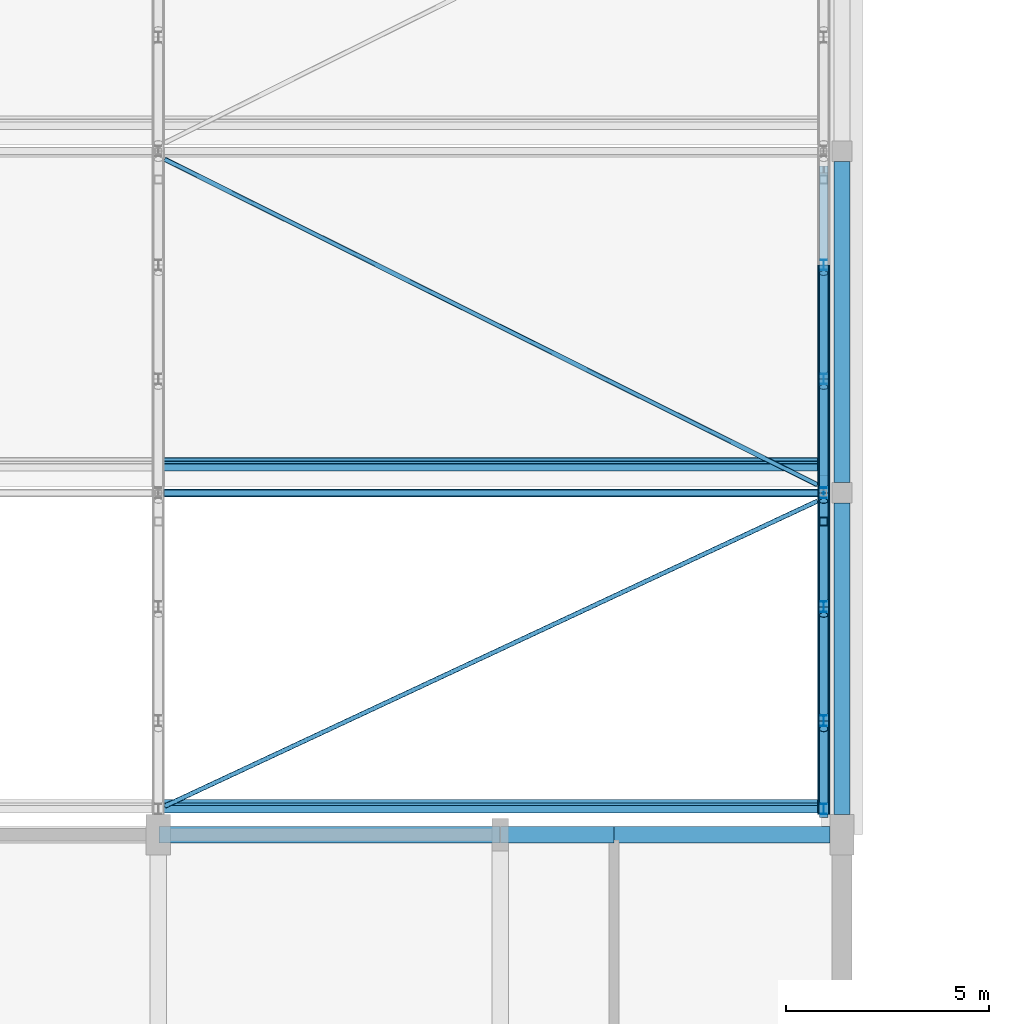
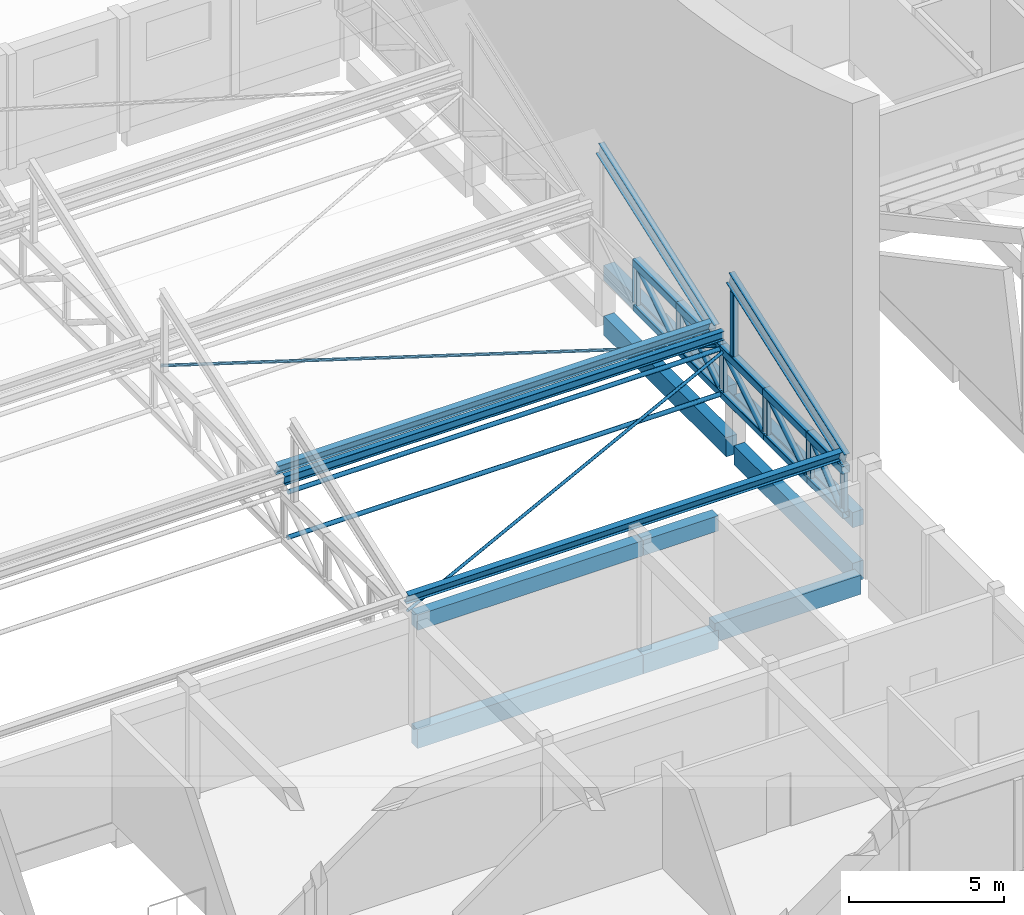
# One storey, part 30 of 101: 30 members, 10 beams.
"""IFC4 building model written with IfcOpenShell, lengths in metres."""

import ifcopenshell
import ifcopenshell.guid

model = None  # the IFC model being written
_history = None  # IfcOwnerHistory: only IFC2X3 demands one
_inside = {}  # id of a spatial element -> (the spatial element, [elements in it])
_under = {}  # id of a project, library or spatial element -> (it, [spatial elements below it])
_declared = {}  # id of a project -> (the project, [libraries it declares])
_typed = {}  # id of a type object -> (the type object, [elements of that type])
_made_of = {}  # id of a material, layer set ... -> (it, [elements and type objects made of it])


def new_model(schema):
    """Start an empty IFC model of exactly this schema.

    Asked for "IFC4X3", IfcOpenShell would pick the latest addendum, in which some entities
    have other attributes; the version numbers below select the first issue.
    IFC2X3 requires an IfcOwnerHistory on every rooted entity: one is made here for all.
    """
    global model, _history
    if schema == "IFC4X3":
        model = ifcopenshell.file(schema_version=(4, 3, 0, 0))
    else:
        model = ifcopenshell.file(schema=schema)
    _inside.clear()
    _under.clear()
    _declared.clear()
    _typed.clear()
    _made_of.clear()
    _history = None
    if model.schema == "IFC2X3":
        org = make("IfcOrganization", Name="unknown")
        user = make(
            "IfcPersonAndOrganization",
            ThePerson=make("IfcPerson", FamilyName="unknown"),
            TheOrganization=org,
        )
        app = make(
            "IfcApplication",
            ApplicationDeveloper=org,
            Version="unknown",
            ApplicationFullName="unknown",
            ApplicationIdentifier="unknown",
        )
        _history = make(
            "IfcOwnerHistory",
            OwningUser=user,
            OwningApplication=app,
            ChangeAction="ADDED",
            CreationDate=0,
        )
    return model


def make(cls, **values):
    """One entity of the class cls with the attributes given. An attribute that is None is left unset."""
    return model.create_entity(
        cls, **{name: value for name, value in values.items() if value is not None}
    )


def rooted(cls, **values):
    """An entity with a GlobalId (a new one), such as an element, a storey or a relation."""
    return make(cls, GlobalId=ifcopenshell.guid.new(), OwnerHistory=_history, **values)


def si_unit(unit_type, name, prefix=None):
    """IfcSIUnit, for example si_unit("LENGTHUNIT", "METRE", prefix="MILLI")."""
    return make("IfcSIUnit", UnitType=unit_type, Prefix=prefix, Name=name)


def assignment(units):
    """IfcUnitAssignment: the units of a project."""
    return None if units is None else make("IfcUnitAssignment", Units=units)


def point(xyz):
    """IfcCartesianPoint."""
    return None if xyz is None else make("IfcCartesianPoint", Coordinates=xyz)


def direction(xyz):
    """IfcDirection."""
    return None if xyz is None else make("IfcDirection", DirectionRatios=xyz)


def frame(location, z_axis=None, x_axis=None):
    """IfcAxis2Placement3D, a coordinate frame: its origin and axes. An axis left out is left unset."""
    return make(
        "IfcAxis2Placement3D",
        Location=point(location),
        Axis=direction(z_axis),
        RefDirection=direction(x_axis),
    )


def frame_2d(location, x_axis=None):
    """IfcAxis2Placement2D, a coordinate frame in the plane: its origin and x axis."""
    return make(
        "IfcAxis2Placement2D", Location=point(location), RefDirection=direction(x_axis)
    )


def origin():
    """The frame at (0, 0, 0) with its axes left unset."""
    return frame((0.0, 0.0, 0.0))


def origin_2d():
    """The frame at (0, 0) in the plane with its x axis left unset."""
    return frame_2d((0.0, 0.0))


def place(relative_to, where):
    """IfcLocalPlacement: puts the frame where relative to a parent placement (None: the world)."""
    return make(
        "IfcLocalPlacement", PlacementRelTo=relative_to, RelativePlacement=where
    )


def context(
    kind, dimensions, precision=None, world=None, true_north=None, identifier=None
):
    """IfcGeometricRepresentationContext, for example the 3D "Model" context."""
    return make(
        "IfcGeometricRepresentationContext",
        ContextIdentifier=identifier,
        ContextType=kind,
        CoordinateSpaceDimension=dimensions,
        Precision=precision,
        WorldCoordinateSystem=world,
        TrueNorth=true_north,
    )


def subcontext(parent, identifier, kind, view, scale=None):
    """IfcGeometricRepresentationSubContext, for example "Body" below "Model"."""
    return make(
        "IfcGeometricRepresentationSubContext",
        ContextIdentifier=identifier,
        ContextType=kind,
        ParentContext=parent,
        TargetScale=scale,
        TargetView=view,
    )


def project(units=None, contexts=None):
    """IfcProject with its units and contexts."""
    return rooted(
        "IfcProject",
        Name="project",
        RepresentationContexts=contexts,
        UnitsInContext=assignment(units),
    )


def spatial(cls, under=None, at=None, **own):
    """A site, building, storey or space (cls), placed at a placement, below another one or the project."""
    s = rooted(cls, ObjectPlacement=at, **own)
    if under is not None:
        _under.setdefault(under.id(), (under, []))[1].append(s)
    return s


def profile(cls, at=None, kind="AREA", **sizes):
    """A parametric profile (cls). Its sizes go by their IFC names, for example OverallWidth=200.0."""
    return make(cls, ProfileType=kind, Position=at, **sizes)


def rectangle(**sizes):
    """IfcRectangleProfileDef."""
    return profile("IfcRectangleProfileDef", **sizes)


def hollow_rectangle(**sizes):
    """IfcRectangleHollowProfileDef."""
    return profile("IfcRectangleHollowProfileDef", **sizes)


def hollow_circle(**sizes):
    """IfcCircleHollowProfileDef."""
    return profile("IfcCircleHollowProfileDef", **sizes)


def i_section(**sizes):
    """IfcIShapeProfileDef."""
    return profile("IfcIShapeProfileDef", **sizes)


def extrude(swept, where, along, depth):
    """IfcExtrudedAreaSolid: the profile swept, set in the frame where, extruded along a direction by depth."""
    return make(
        "IfcExtrudedAreaSolid",
        SweptArea=swept,
        Position=where,
        ExtrudedDirection=direction(along),
        Depth=depth,
    )


def shape(context_of_items, identifier, shape_type, items):
    """IfcShapeRepresentation: the items that make up one representation, for example the "Body"."""
    return make(
        "IfcShapeRepresentation",
        ContextOfItems=context_of_items,
        RepresentationIdentifier=identifier,
        RepresentationType=shape_type,
        Items=items,
    )


def material(Name=None, Category=None):
    """IfcMaterial."""
    return make("IfcMaterial", Name=Name, Category=Category)


def material_profile(
    of_material, cross_section, Name=None, Category=None, Priority=None
):
    """IfcMaterialProfile: a cross section and its material."""
    return make(
        "IfcMaterialProfile",
        Name=Name,
        Material=of_material,
        Profile=cross_section,
        Priority=Priority,
        Category=Category,
    )


def profile_set(profiles, Name=None, composite=None):
    """IfcMaterialProfileSet."""
    return make(
        "IfcMaterialProfileSet",
        Name=Name,
        MaterialProfiles=profiles,
        CompositeProfile=composite,
    )


def made_of(thing, what):
    """Note that an element or type object is made of a material, layer set ...; save() writes the relation."""
    if what is not None:
        _made_of.setdefault(what.id(), (what, []))[1].append(thing)
    return thing


def type_object(cls, material=None, **own):
    """A type object (cls), such as IfcWallType, which elements share."""
    return made_of(rooted(cls, **own), material)


def element(
    cls,
    number,
    at=None,
    inside=None,
    cuts=None,
    type_object=None,
    material=None,
    context=None,
    identifier="Body",
    shape_type=None,
    held_by="IfcProductDefinitionShape",
    body=None,
    shapes=None,
    **own,
):
    """One element of the class cls, such as IfcWall. Its Tag is "e" and its number.

    at: its placement. inside: the storey or other place that contains it. cuts: it is an
    opening in that element (IfcRelVoidsElement). A single representation is given by context,
    identifier, shape_type and body (its items); several are given by shapes. held_by: the class
    of the entity that holds the representations. save() writes the other relations.
    """
    e = rooted(cls, Tag="e%d" % number, ObjectPlacement=at, **own)
    if body is not None:
        shapes = [shape(context, identifier, shape_type, body)]
    if shapes is not None:
        e.Representation = make(held_by, Representations=shapes)
    if inside is not None:
        _inside.setdefault(inside.id(), (inside, []))[1].append(e)
    if cuts is not None:
        rooted(
            "IfcRelVoidsElement", RelatingBuildingElement=cuts, RelatedOpeningElement=e
        )
    if type_object is not None:
        _typed.setdefault(type_object.id(), (type_object, []))[1].append(e)
    return made_of(e, material)


def aggregate(whole, parts):
    """IfcRelAggregates: a whole, such as a stair, and the parts it consists of."""
    return rooted("IfcRelAggregates", RelatingObject=whole, RelatedObjects=parts)


def save(model, path):
    """Write the relations noted so far, then the file.

    IfcRelAggregates (storeys below a building ...), IfcRelContainedInSpatialStructure (elements
    in a storey), IfcRelDefinesByType, IfcRelAssociatesMaterial and IfcRelDeclares: one each for
    every whole, place, type object, material and project.
    """
    for whole, parts in _under.values():
        aggregate(whole, parts)
    for where, things in _inside.values():
        rooted(
            "IfcRelContainedInSpatialStructure",
            RelatedElements=things,
            RelatingStructure=where,
        )
    for kind, things in _typed.values():
        rooted("IfcRelDefinesByType", RelatedObjects=things, RelatingType=kind)
    for what, things in _made_of.values():
        rooted("IfcRelAssociatesMaterial", RelatedObjects=things, RelatingMaterial=what)
    for by, libraries in _declared.values():
        rooted("IfcRelDeclares", RelatingContext=by, RelatedDefinitions=libraries)
    model.write(path)


model = new_model("IFC4")

# Units and contexts
model_context = context("Model", 3, precision=1e-05, world=origin(), true_north=direction((0.0, 1.0)))
body_context = subcontext(model_context, "Body", "Model", "MODEL_VIEW")
ifc_project = project(units=[si_unit("LENGTHUNIT", "METRE"), si_unit("AREAUNIT", "SQUARE_METRE"), si_unit("VOLUMEUNIT", "CUBIC_METRE"), si_unit("PLANEANGLEUNIT", "RADIAN"), si_unit("MASSUNIT", "GRAM", prefix="KILO")], contexts=[model_context])

# Site, building, storey
site_placement = place(None, origin())
site = spatial("IfcSite", under=ifc_project, at=site_placement, CompositionType="ELEMENT")
building_placement = place(site_placement, origin())
building = spatial("IfcBuilding", under=site, at=building_placement, Name="Fescue Hill Polytechnic", CompositionType="ELEMENT")
storey_placement = place(building_placement, frame((0.0, 0.0, 9.0)))
storey = spatial("IfcBuildingStorey", under=building, at=storey_placement, Name="L02", CompositionType="ELEMENT", Elevation=9.0)

# Beams
ifc_material_1 = material(Name="Concrete 35 MPa", Category="concrete")
ifc_material_profile_1 = material_profile(ifc_material_1, rectangle(XDim=0.39990234375, YDim=0.60009765625, at=origin_2d()), Name="RC 400x600")
ifc_profile_set_1 = profile_set([ifc_material_profile_1], Name="Concrete 35 MPa")
beam_type_1 = type_object("IfcBeamType", Name="Beam RC 400x600", PredefinedType="BEAM", material=ifc_profile_set_1)
beam_1_placement = place(storey_placement, frame((100.81005859375, 16.800048828125, 3.89990234375), z_axis=(1.0, 0.0, 0.0), x_axis=(0.0, 1.0, 0.0)))
element("IfcBeam", 1, at=beam_1_placement, inside=storey, type_object=beam_type_1, Name="BR-L02-0060", PredefinedType="BEAM", context=body_context, shape_type="SweptSolid", body=[
    extrude(rectangle(XDim=0.39990234375, YDim=0.60009765625, at=origin_2d()), origin(), (0.0, 0.0, 1.0), 8.3798828125),
])
beam_2_placement = place(storey_placement, frame((109.2099609375, 16.800048828125, 3.89990234375), z_axis=(1.0, 0.0, 0.0), x_axis=(0.0, 1.0, 0.0)))
element("IfcBeam", 2, at=beam_2_placement, inside=storey, type_object=beam_type_1, Name="BR-L02-0065", PredefinedType="BEAM", context=body_context, shape_type="SweptSolid", body=[
    extrude(rectangle(XDim=0.39990234375, YDim=0.60009765625, at=origin_2d()), origin(), (0.0, 0.0, 1.0), 2.7900390625),
])
beam_3_placement = place(storey_placement, frame((117.60009765625, 17.300048828125, 1.699951171875), z_axis=(0.0, 1.0, 0.0), x_axis=(-1.0, 0.0, 0.0)))
element("IfcBeam", 3, at=beam_3_placement, inside=storey, type_object=beam_type_1, Name="Hall east gable crest beam 1", PredefinedType="BEAM", context=body_context, shape_type="SweptSolid", body=[
    extrude(rectangle(XDim=0.39990234375, YDim=0.60009765625, at=origin_2d()), origin(), (0.0, 0.0, 1.0), 7.64990234375),
])
beam_4_placement = place(storey_placement, frame((117.60009765625, 25.449951171875, 1.699951171875), z_axis=(0.0, 1.0, 0.0), x_axis=(-1.0, 0.0, 0.0)))
element("IfcBeam", 4, at=beam_4_placement, inside=storey, type_object=beam_type_1, Name="Hall east gable crest beam 2", PredefinedType="BEAM", context=body_context, shape_type="SweptSolid", body=[
    extrude(rectangle(XDim=0.39990234375, YDim=0.60009765625, at=origin_2d()), origin(), (0.0, 0.0, 1.0), 7.900146484375),
])
ifc_material_profile_2 = material_profile(ifc_material_1, rectangle(XDim=0.39990234375, YDim=0.75, at=origin_2d()), Name="RC 400x750")
ifc_profile_set_2 = profile_set([ifc_material_profile_2], Name="Concrete 35 MPa")
beam_type_2 = type_object("IfcBeamType", Name="Beam RC 400x750", PredefinedType="BEAM", material=ifc_profile_set_2)
beam_5_placement = place(storey_placement, frame((100.81005859375, 16.800048828125, -0.675048828125), z_axis=(1.0, 0.0, 0.0), x_axis=(0.0, 1.0, 0.0)))
element("IfcBeam", 5, at=beam_5_placement, inside=storey, type_object=beam_type_2, Name="BM-L02-0102", PredefinedType="BEAM", context=body_context, shape_type="SweptSolid", body=[
    extrude(rectangle(XDim=0.39990234375, YDim=0.75, at=origin_2d()), origin(), (0.0, 0.0, 1.0), 8.3798828125),
])
beam_6_placement = place(storey_placement, frame((109.2099609375, 16.800048828125, -0.675048828125), z_axis=(1.0, 0.0, 0.0), x_axis=(0.0, 1.0, 0.0)))
element("IfcBeam", 6, at=beam_6_placement, inside=storey, type_object=beam_type_2, Name="BM-L02-0107", PredefinedType="BEAM", context=body_context, shape_type="SweptSolid", body=[
    extrude(rectangle(XDim=0.39990234375, YDim=0.75, at=origin_2d()), origin(), (0.0, 0.0, 1.0), 2.7900390625),
])
beam_7_placement = place(storey_placement, frame((111.875, 16.800048828125, -0.375), z_axis=(1.0, 0.0, 0.0), x_axis=(0.0, 1.0, 0.0)))
element("IfcBeam", 7, at=beam_7_placement, inside=storey, type_object=beam_type_2, Name="BM-L02-0171", PredefinedType="BEAM", context=body_context, shape_type="SweptSolid", body=[
    extrude(rectangle(XDim=0.39990234375, YDim=0.75, at=origin_2d()), origin(), (0.0, 0.0, 1.0), 5.425048828125),
])
beam_8_placement = place(storey_placement, frame((117.60009765625, 17.300048828125, -0.375), z_axis=(0.0, 1.0, 0.0), x_axis=(-1.0, 0.0, 0.0)))
element("IfcBeam", 8, at=beam_8_placement, inside=storey, type_object=beam_type_2, Name="BM-L02-0174", PredefinedType="BEAM", context=body_context, shape_type="SweptSolid", body=[
    extrude(rectangle(XDim=0.39990234375, YDim=0.75, at=origin_2d()), origin(), (0.0, 0.0, 1.0), 7.64990234375),
])
beam_9_placement = place(storey_placement, frame((117.60009765625, 25.449951171875, -0.375), z_axis=(0.0, 1.0, 0.0), x_axis=(-1.0, 0.0, 0.0)))
element("IfcBeam", 9, at=beam_9_placement, inside=storey, type_object=beam_type_2, Name="BM-L02-0175", PredefinedType="BEAM", context=body_context, shape_type="SweptSolid", body=[
    extrude(rectangle(XDim=0.39990234375, YDim=0.75, at=origin_2d()), origin(), (0.0, 0.0, 1.0), 7.900146484375),
])

# Members
ifc_material_2 = material(Name="Steel 350W (350 MPa)", Category="steel")
ifc_material_profile_3 = material_profile(ifc_material_2, hollow_circle(Radius=0.05712890625, WallThickness=0.00634765625, at=origin_2d()), Name="Hall roof plan brace CHS 114x6.4")
ifc_profile_set_3 = profile_set([ifc_material_profile_3], Name="Steel 350W (350 MPa)")
member_type_1 = type_object("IfcMemberType", Name="Hall roof plan brace CHS 114x6.4", PredefinedType="BRACE", material=ifc_profile_set_3)
member_1_placement = place(storey_placement, frame((100.952392578125, 17.5, 3.783447265625), z_axis=(0.905917790199, 0.423453607141, 0.0), x_axis=(-0.423453607141, 0.905917790199, 0.0)))
element("IfcMember", 10, at=member_1_placement, inside=storey, type_object=member_type_1, Name="Roof plan brace bay 7 panel 1", PredefinedType="BRACE", context=body_context, shape_type="SweptSolid", body=[
    extrude(hollow_circle(Radius=0.05712890625, WallThickness=0.00634765625, at=origin_2d()), origin(), (0.0, 0.0, 1.0), 17.71142578125),
])
member_2_placement = place(storey_placement, frame((100.952392578125, 33.39990234375, 3.783447265625), z_axis=(0.894930456657, -0.446205645132, 0.0), x_axis=(0.446205645132, 0.894930456657, 0.0)))
element("IfcMember", 11, at=member_2_placement, inside=storey, type_object=member_type_1, Name="Roof plan brace bay 7 panel 2", PredefinedType="BRACE", context=body_context, shape_type="SweptSolid", body=[
    extrude(hollow_circle(Radius=0.05712890625, WallThickness=0.00634765625, at=origin_2d()), origin(), (0.0, 0.0, 1.0), 17.928955078125),
])
ifc_material_profile_4 = material_profile(ifc_material_2, hollow_rectangle(XDim=0.25390625, YDim=0.25390625, WallThickness=0.0126953125, InnerFilletRadius=0.0126953125, OuterFilletRadius=0.025390625, at=origin_2d()), Name="Hall truss bottom chord HSS 254x254x13")
ifc_profile_set_4 = profile_set([ifc_material_profile_4], Name="Steel 350W (350 MPa)")
member_type_2 = type_object("IfcMemberType", Name="Hall truss bottom chord HSS 254x254x13", PredefinedType="CHORD", material=ifc_profile_set_4)
member_3_placement = place(storey_placement, frame((117.14990234375, 17.300048828125, 2.0), z_axis=(0.0, 1.0, 0.0), x_axis=(-1.0, 0.0, 0.0)))
element("IfcMember", 12, at=member_3_placement, inside=storey, type_object=member_type_2, Name="Truss TR8 bottom chord 1", PredefinedType="CHORD", context=body_context, shape_type="SweptSolid", body=[
    extrude(hollow_rectangle(XDim=0.25390625, YDim=0.25390625, WallThickness=0.0126953125, InnerFilletRadius=0.0126953125, OuterFilletRadius=0.025390625, at=origin_2d()), origin(), (0.0, 0.0, 1.0), 2.300048828125),
])
member_4_placement = place(storey_placement, frame((117.14990234375, 19.60009765625, 2.0), z_axis=(0.0, 1.0, 0.0), x_axis=(-1.0, 0.0, 0.0)))
element("IfcMember", 13, at=member_4_placement, inside=storey, type_object=member_type_2, Name="Truss TR8 bottom chord 2", PredefinedType="CHORD", context=body_context, shape_type="SweptSolid", body=[
    extrude(hollow_rectangle(XDim=0.25390625, YDim=0.25390625, WallThickness=0.0126953125, InnerFilletRadius=0.0126953125, OuterFilletRadius=0.025390625, at=origin_2d()), origin(), (0.0, 0.0, 1.0), 2.7998046875),
])
for number, where, z_axis, x_axis, name in (
    (14, (117.14990234375, 22.39990234375, 2.0), (0.0, 1.0, 0.0), (-1.0, 0.0, 0.0), "Truss TR8 bottom chord 3"),
    (15, (117.14990234375, 25.199951171875, 2.0), (0.0, 1.0, 0.0), (-1.0, 0.0, 0.0), "Truss TR8 bottom chord 4"),
    (16, (117.14990234375, 28.0, 2.0), (0.0, 1.0, 0.0), (-1.0, 0.0, 0.0), "Truss TR8 bottom chord 5"),
):
    element("IfcMember", number, at=place(storey_placement, frame(where, z_axis=z_axis, x_axis=x_axis)), inside=storey, type_object=member_type_2, Name=name, PredefinedType="CHORD", context=body_context, shape_type="SweptSolid", body=[
        extrude(hollow_rectangle(XDim=0.25390625, YDim=0.25390625, WallThickness=0.0126953125, InnerFilletRadius=0.0126953125, OuterFilletRadius=0.025390625, at=origin_2d()), origin(), (0.0, 0.0, 1.0), 2.800048828125),
    ])
ifc_material_profile_5 = material_profile(ifc_material_2, hollow_circle(Radius=0.109619140625, WallThickness=0.009521484375, at=origin_2d()), Name="Hall truss diagonal CHS 219x9.5")
ifc_profile_set_5 = profile_set([ifc_material_profile_5], Name="Steel 350W (350 MPa)")
member_type_3 = type_object("IfcMemberType", Name="Hall truss diagonal CHS 219x9.5", PredefinedType="BRACE", material=ifc_profile_set_5)
member_5_placement = place(storey_placement, frame((117.14990234375, 17.633056640625, 2.126953125), z_axis=(0.0, 0.761443253909, 0.648231572107), x_axis=(-1.0, 0.0, 0.0)))
element("IfcMember", 17, at=member_5_placement, inside=storey, type_object=member_type_3, Name="Truss TR8 diagonal 1", PredefinedType="BRACE", context=body_context, shape_type="SweptSolid", body=[
    extrude(hollow_circle(Radius=0.109619140625, WallThickness=0.009521484375, at=origin_2d()), origin(), (0.0, 0.0, 1.0), 2.3203125),
])
for number, where, z_axis, x_axis, name in (
    (18, (117.14990234375, 19.800048828125, 2.126953125), (0.0, 0.847329350891, 0.531067765091), (-1.0, 0.0, 0.0), "Truss TR8 diagonal 2"),
    (19, (117.14990234375, 22.60009765625, 2.126953125), (0.0, 0.847329350891, 0.531067765091), (-1.0, 0.0, 0.0), "Truss TR8 diagonal 3"),
):
    element("IfcMember", number, at=place(storey_placement, frame(where, z_axis=z_axis, x_axis=x_axis)), inside=storey, type_object=member_type_3, Name=name, PredefinedType="BRACE", context=body_context, shape_type="SweptSolid", body=[
        extrude(hollow_circle(Radius=0.109619140625, WallThickness=0.009521484375, at=origin_2d()), origin(), (0.0, 0.0, 1.0), 2.832275390625),
    ])
for number, where, z_axis, x_axis, name in (
    (20, (117.14990234375, 25.39990234375, 2.126953125), (0.0, 0.847353658992, 0.531028979051), (-1.0, 0.0, 0.0), "Truss TR8 diagonal 4"),
    (21, (117.14990234375, 28.199951171875, 2.126953125), (0.0, 0.847353658992, 0.531028979051), (-1.0, 0.0, 0.0), "Truss TR8 diagonal 5"),
):
    element("IfcMember", number, at=place(storey_placement, frame(where, z_axis=z_axis, x_axis=x_axis)), inside=storey, type_object=member_type_3, Name=name, PredefinedType="BRACE", context=body_context, shape_type="SweptSolid", body=[
        extrude(hollow_circle(Radius=0.109619140625, WallThickness=0.009521484375, at=origin_2d()), origin(), (0.0, 0.0, 1.0), 2.83251953125),
    ])
ifc_material_profile_6 = material_profile(ifc_material_2, i_section(OverallWidth=0.14794921875, OverallDepth=0.26611328125, WebThickness=0.007568359375, FlangeThickness=0.012939453125, FilletRadius=0.013916015625, at=origin_2d()), Name="W250x45")
ifc_profile_set_6 = profile_set([ifc_material_profile_6], Name="Steel 350W (350 MPa)")
member_type_4 = type_object("IfcMemberType", Name="Hall truss post W250x45", PredefinedType="POST", material=ifc_profile_set_6)
for number, where, z_axis, x_axis, name in (
    (22, (117.14990234375, 17.43310546875, 2.126953125), (0.0, 0.0, 1.0), (1.0, 0.0, 0.0), "Truss TR8 post 1"),
    (23, (117.14990234375, 19.60009765625, 2.126953125), (0.0, 0.0, 1.0), (1.0, 0.0, 0.0), "Truss TR8 post 2"),
    (24, (117.14990234375, 22.39990234375, 2.126953125), (0.0, 0.0, 1.0), (1.0, 0.0, 0.0), "Truss TR8 post 3"),
    (25, (117.14990234375, 25.199951171875, 2.126953125), (0.0, 0.0, 1.0), (1.0, 0.0, 0.0), "Truss TR8 post 4"),
    (26, (117.14990234375, 28.0, 2.126953125), (0.0, 0.0, 1.0), (1.0, 0.0, 0.0), "Truss TR8 post 5"),
    (27, (117.14990234375, 30.800048828125, 2.126953125), (0.0, 0.0, 1.0), (1.0, 0.0, 0.0), "Truss TR8 post 6"),
):
    element("IfcMember", number, at=place(storey_placement, frame(where, z_axis=z_axis, x_axis=x_axis)), inside=storey, type_object=member_type_4, Name=name, PredefinedType="POST", context=body_context, shape_type="SweptSolid", body=[
        extrude(i_section(OverallWidth=0.14794921875, OverallDepth=0.26611328125, WebThickness=0.007568359375, FlangeThickness=0.012939453125, FilletRadius=0.013916015625, at=origin_2d()), origin(), (0.0, 0.0, 1.0), 1.504150390625),
    ])
ifc_material_profile_7 = material_profile(ifc_material_2, hollow_circle(Radius=0.084228515625, WallThickness=0.009521484375, at=origin_2d()), Name="Hall truss tie strut CHS 168x9.5")
ifc_profile_set_7 = profile_set([ifc_material_profile_7], Name="Steel 350W (350 MPa)")
member_type_5 = type_object("IfcMemberType", Name="Hall truss tie strut CHS 168x9.5", PredefinedType="STRUT", material=ifc_profile_set_7)
member_6_placement = place(storey_placement, frame((100.952392578125, 25.199951171875, 3.783447265625), z_axis=(1.0, 0.0, 0.0), x_axis=(0.0, 1.0, 0.0)))
element("IfcMember", 28, at=member_6_placement, inside=storey, type_object=member_type_5, Name="Top chord tie strut bay 7 line 1", PredefinedType="STRUT", context=body_context, shape_type="SweptSolid", body=[
    extrude(hollow_circle(Radius=0.084228515625, WallThickness=0.009521484375, at=origin_2d()), origin(), (0.0, 0.0, 1.0), 16.045166015625),
])
member_7_placement = place(storey_placement, frame((100.927001953125, 25.199951171875, 2.0), z_axis=(1.0, 0.0, 0.0), x_axis=(0.0, 1.0, 0.0)))
element("IfcMember", 29, at=member_7_placement, inside=storey, type_object=member_type_5, Name="Bottom chord tie strut bay 7 line 1", PredefinedType="STRUT", context=body_context, shape_type="SweptSolid", body=[
    extrude(hollow_circle(Radius=0.084228515625, WallThickness=0.009521484375, at=origin_2d()), origin(), (0.0, 0.0, 1.0), 16.095947265625),
])
ifc_material_profile_8 = material_profile(ifc_material_2, hollow_rectangle(XDim=0.3046875, YDim=0.3046875, WallThickness=0.0126953125, InnerFilletRadius=0.0126953125, OuterFilletRadius=0.025390625, at=origin_2d()), Name="Hall truss top chord HSS 305x305x13")
ifc_profile_set_8 = profile_set([ifc_material_profile_8], Name="Steel 350W (350 MPa)")
member_type_6 = type_object("IfcMemberType", Name="Hall truss top chord HSS 305x305x13", PredefinedType="CHORD", material=ifc_profile_set_8)
member_8_placement = place(storey_placement, frame((117.14990234375, 17.300048828125, 3.783447265625), z_axis=(0.0, 1.0, 0.0), x_axis=(-1.0, 0.0, 0.0)))
element("IfcMember", 30, at=member_8_placement, inside=storey, type_object=member_type_6, Name="Truss TR8 top chord 1", PredefinedType="CHORD", context=body_context, shape_type="SweptSolid", body=[
    extrude(hollow_rectangle(XDim=0.3046875, YDim=0.3046875, WallThickness=0.0126953125, InnerFilletRadius=0.0126953125, OuterFilletRadius=0.025390625, at=origin_2d()), origin(), (0.0, 0.0, 1.0), 2.300048828125),
])
member_9_placement = place(storey_placement, frame((117.14990234375, 19.60009765625, 3.783447265625), z_axis=(0.0, 1.0, 0.0), x_axis=(-1.0, 0.0, 0.0)))
element("IfcMember", 31, at=member_9_placement, inside=storey, type_object=member_type_6, Name="Truss TR8 top chord 2", PredefinedType="CHORD", context=body_context, shape_type="SweptSolid", body=[
    extrude(hollow_rectangle(XDim=0.3046875, YDim=0.3046875, WallThickness=0.0126953125, InnerFilletRadius=0.0126953125, OuterFilletRadius=0.025390625, at=origin_2d()), origin(), (0.0, 0.0, 1.0), 2.7998046875),
])
for number, where, z_axis, x_axis, name in (
    (32, (117.14990234375, 22.39990234375, 3.783447265625), (0.0, 1.0, 0.0), (-1.0, 0.0, 0.0), "Truss TR8 top chord 3"),
    (33, (117.14990234375, 25.199951171875, 3.783447265625), (0.0, 1.0, 0.0), (-1.0, 0.0, 0.0), "Truss TR8 top chord 4"),
    (34, (117.14990234375, 28.0, 3.783447265625), (0.0, 1.0, 0.0), (-1.0, 0.0, 0.0), "Truss TR8 top chord 5"),
):
    element("IfcMember", number, at=place(storey_placement, frame(where, z_axis=z_axis, x_axis=x_axis)), inside=storey, type_object=member_type_6, Name=name, PredefinedType="CHORD", context=body_context, shape_type="SweptSolid", body=[
        extrude(hollow_rectangle(XDim=0.3046875, YDim=0.3046875, WallThickness=0.0126953125, InnerFilletRadius=0.0126953125, OuterFilletRadius=0.025390625, at=origin_2d()), origin(), (0.0, 0.0, 1.0), 2.800048828125),
    ])
ifc_material_profile_9 = material_profile(ifc_material_2, i_section(OverallWidth=0.18994140625, OverallDepth=0.45703125, WebThickness=0.009033203125, FlangeThickness=0.014404296875, FilletRadius=0.0166015625, at=origin_2d()), Name="W460x74")
ifc_profile_set_9 = profile_set([ifc_material_profile_9], Name="Steel 350W (350 MPa)")
member_type_7 = type_object("IfcMemberType", Name="Tooth purlin W460x74", PredefinedType="PURLIN", material=ifc_profile_set_9)
for number, where, z_axis, x_axis, name in (
    (35, (100.904541015625, 17.5, 4.294921875), (1.0, 0.0, 0.0), (0.0, 0.941741911595, 0.336336396997), "Tooth 1 purlin 1 bay 7"),
    (36, (100.904541015625, 25.89990234375, 4.294921875), (1.0, 0.0, 0.0), (0.0, 0.941741911595, 0.336336396997), "Tooth 2 purlin 1 bay 7"),
):
    element("IfcMember", number, at=place(storey_placement, frame(where, z_axis=z_axis, x_axis=x_axis)), inside=storey, type_object=member_type_7, Name=name, PredefinedType="PURLIN", context=body_context, shape_type="SweptSolid", body=[
        extrude(i_section(OverallWidth=0.18994140625, OverallDepth=0.45703125, WebThickness=0.009033203125, FlangeThickness=0.014404296875, FilletRadius=0.0166015625, at=origin_2d()), origin(), (0.0, 0.0, 1.0), 16.140869140625),
    ])
ifc_material_profile_10 = material_profile(ifc_material_2, i_section(OverallWidth=0.208984375, OverallDepth=0.532958984375, WebThickness=0.01025390625, FlangeThickness=0.015625, FilletRadius=0.016357421875, at=origin_2d()), Name="W530x92")
ifc_profile_set_10 = profile_set([ifc_material_profile_10], Name="Steel 350W (350 MPa)")
member_type_8 = type_object("IfcMemberType", Name="Tooth rafter W530x92", PredefinedType="RAFTER", material=ifc_profile_set_10)
member_10_placement = place(storey_placement, frame((117.14990234375, 17.310302734375, 4.18701171875), z_axis=(0.0, 0.941744009147, 0.336330523793), x_axis=(-1.0, 0.0, 0.0)))
element("IfcMember", 37, at=member_10_placement, inside=storey, type_object=member_type_8, Name="Tooth 1 rafter on TR8", PredefinedType="RAFTER", context=body_context, shape_type="SweptSolid", body=[
    extrude(i_section(OverallWidth=0.208984375, OverallDepth=0.532958984375, WebThickness=0.01025390625, FlangeThickness=0.015625, FilletRadius=0.016357421875, at=origin_2d()), origin(), (0.0, 0.0, 1.0), 7.89990234375),
])
member_11_placement = place(storey_placement, frame((117.14990234375, 25.71044921875, 4.18701171875), z_axis=(0.0, 0.941740513165, 0.336340312575), x_axis=(-1.0, 0.0, 0.0)))
element("IfcMember", 38, at=member_11_placement, inside=storey, type_object=member_type_8, Name="Tooth 2 rafter on TR8", PredefinedType="RAFTER", context=body_context, shape_type="SweptSolid", body=[
    extrude(i_section(OverallWidth=0.208984375, OverallDepth=0.532958984375, WebThickness=0.01025390625, FlangeThickness=0.015625, FilletRadius=0.016357421875, at=origin_2d()), origin(), (0.0, 0.0, 1.0), 7.899658203125),
])
ifc_material_profile_11 = material_profile(ifc_material_2, hollow_rectangle(XDim=0.203125, YDim=0.203125, WallThickness=0.009521484375, InnerFilletRadius=0.009521484375, OuterFilletRadius=0.01904296875, at=origin_2d()), Name="Tooth ridge post HSS 203x203x9.5")
ifc_profile_set_11 = profile_set([ifc_material_profile_11], Name="Steel 350W (350 MPa)")
member_type_9 = type_object("IfcMemberType", Name="Tooth ridge post HSS 203x203x9.5", PredefinedType="POST", material=ifc_profile_set_11)
member_12_placement = place(storey_placement, frame((117.14990234375, 24.5, 3.93603515625), z_axis=(0.0, 0.0, 1.0), x_axis=(1.0, 0.0, 0.0)))
element("IfcMember", 39, at=member_12_placement, inside=storey, type_object=member_type_9, Name="Tooth 1 ridge post on TR8", PredefinedType="POST", context=body_context, shape_type="SweptSolid", body=[
    extrude(hollow_rectangle(XDim=0.203125, YDim=0.203125, WallThickness=0.009521484375, InnerFilletRadius=0.009521484375, OuterFilletRadius=0.01904296875, at=origin_2d()), origin(), (0.0, 0.0, 1.0), 2.499267578125),
])

# Beam
ifc_material_profile_12 = material_profile(ifc_material_2, i_section(OverallWidth=0.2041015625, OverallDepth=0.35009765625, WebThickness=0.008544921875, FlangeThickness=0.01513671875, FilletRadius=0.02197265625, at=origin_2d()), Name="W360x72")
ifc_profile_set_12 = profile_set([ifc_material_profile_12], Name="Steel 350W (350 MPa)")
beam_type_3 = type_object("IfcBeamType", Name="Valley gutter beam W360x72", PredefinedType="BEAM", material=ifc_profile_set_12)
beam_10_placement = place(storey_placement, frame((100.800048828125, 25.199951171875, 4.324951171875), z_axis=(1.0, 0.0, 0.0), x_axis=(0.0, 1.0, 0.0)))
element("IfcBeam", 40, at=beam_10_placement, inside=storey, type_object=beam_type_3, Name="Valley 2 gutter beam bay 7", PredefinedType="BEAM", context=body_context, shape_type="SweptSolid", body=[
    extrude(i_section(OverallWidth=0.2041015625, OverallDepth=0.35009765625, WebThickness=0.008544921875, FlangeThickness=0.01513671875, FilletRadius=0.02197265625, at=origin_2d()), origin(), (0.0, 0.0, 1.0), 16.349853515625),
])

save(model, "model.ifc")
